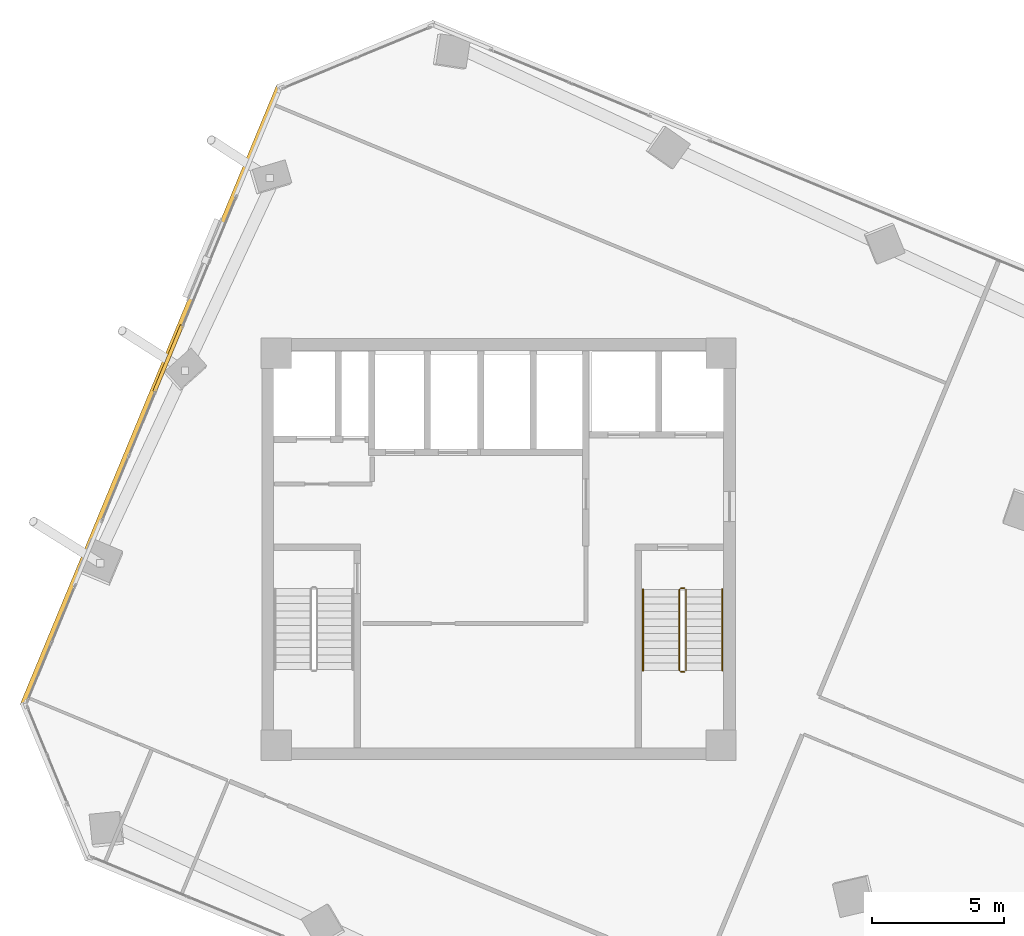
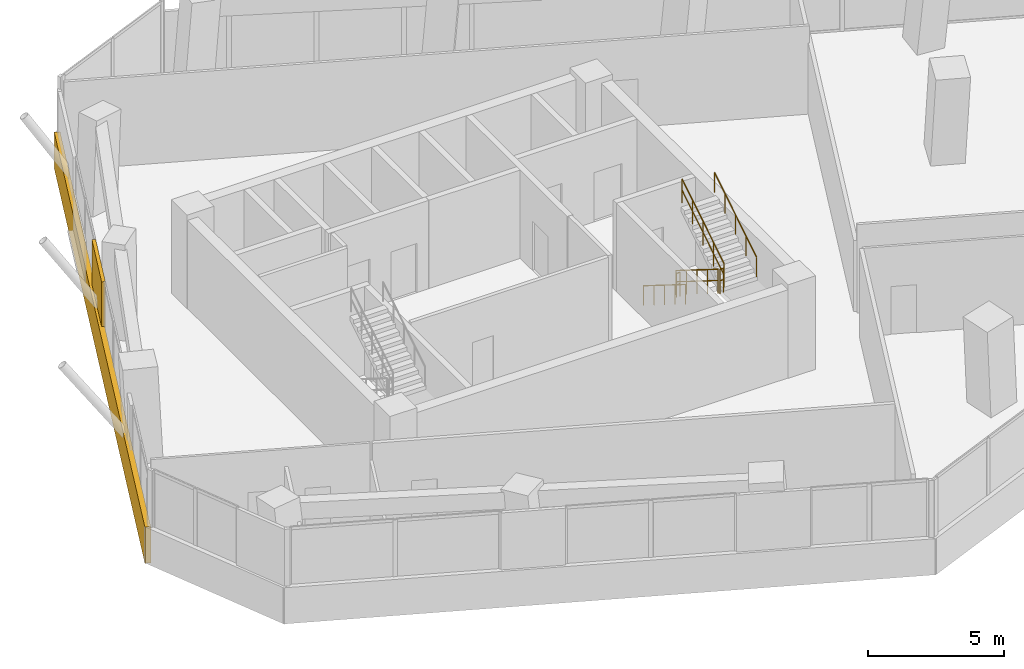
# One storey, part 20 of 22: 6 railings, 2 coverings.
"""IFC4 building model written with IfcOpenShell, lengths in metres."""

from ifc_helpers import new_model, si_unit, direction, frame, origin, origin_2d, place, context, subcontext, project, spatial, rectangle, circle, extrude, source, transform, mapped, material, layer, layer_set, type_object, element, save


model = new_model("IFC4")

# Units and contexts
model_context = context("Model", 3, precision=1e-05, world=origin(), true_north=direction((0.0, 1.0)))
body_context = subcontext(model_context, "Body", "Model", "MODEL_VIEW")
ifc_project = project(units=[si_unit("LENGTHUNIT", "METRE"), si_unit("AREAUNIT", "SQUARE_METRE"), si_unit("VOLUMEUNIT", "CUBIC_METRE"), si_unit("PLANEANGLEUNIT", "RADIAN"), si_unit("MASSUNIT", "GRAM", prefix="KILO")], contexts=[model_context])

# Site, building, storey
site_placement = place(None, origin())
site = spatial("IfcSite", under=ifc_project, at=site_placement, CompositionType="ELEMENT")
building_placement = place(site_placement, origin())
building = spatial("IfcBuilding", under=site, at=building_placement, Name="Torre Montelarca", CompositionType="ELEMENT")
storey_placement = place(building_placement, frame((0.0, 0.0, 149.800048828125)))
storey = spatial("IfcBuildingStorey", under=building, at=storey_placement, Name="L33", CompositionType="ELEMENT", Elevation=149.800048828125)

# Railings
ifc_material_1 = material(Name="Powder-coated steel ASTM A500 Grade C", Category="steel")
railing_type_1 = type_object("IfcRailingType", Name="RL-GUARD-1100", PredefinedType="BALUSTRADE", material=ifc_material_1)
railing_1_placement = place(storey_placement, frame((24.8701171875, 30.469970703125, 0.175048828125)))
element("IfcRailing", 1, at=railing_1_placement, inside=storey, type_object=railing_type_1, Name="L33 ST2 stair guard 1", PredefinedType="BALUSTRADE", context=body_context, shape_type="SweptSolid", body=[
    extrude(circle(Radius=0.02392578125, at=origin_2d()), frame((0.0, 0.0, 1.076171875), z_axis=(0.0, -0.848028513186, 0.529950602248), x_axis=(1.0, 0.0, 0.0)), (0.0, 0.0, 1.0), 3.632080078125),
    extrude(circle(Radius=0.02099609375, at=origin_2d()), frame((0.0, 0.0, 0.572021484375), z_axis=(0.0, -0.848028513186, 0.529950602248), x_axis=(1.0, 0.0, 0.0)), (0.0, 0.0, 1.0), 3.632080078125),
    extrude(circle(Radius=0.02099609375, at=origin_2d()), origin(), (0.0, 0.0, 1.0), 1.052001953125),
    extrude(circle(Radius=0.02099609375, at=origin_2d()), frame((0.0, -0.77001953125, 0.481201171875)), (0.0, 0.0, 1.0), 1.052001953125),
    extrude(circle(Radius=0.02099609375, at=origin_2d()), frame((0.0, -1.5400390625, 0.96240234375)), (0.0, 0.0, 1.0), 1.052001953125),
    extrude(circle(Radius=0.02099609375, at=origin_2d()), frame((0.0, -2.31005859375, 1.443603515625)), (0.0, 0.0, 1.0), 1.052001953125),
    extrude(circle(Radius=0.02099609375, at=origin_2d()), frame((0.0, -3.080078125, 1.9248046875)), (0.0, 0.0, 1.0), 1.052001953125),
])
railing_2_placement = place(storey_placement, frame((24.919921875, 27.340087890625, 2.099853515625)))
element("IfcRailing", 2, at=railing_2_placement, inside=storey, type_object=railing_type_1, Name="L33 ST2 stair guard 2", PredefinedType="BALUSTRADE", context=body_context, shape_type="SweptSolid", body=[
    extrude(circle(Radius=0.02392578125, at=origin_2d()), frame((0.0, 0.0, 1.076171875), z_axis=(1.0, 0.0, 0.0), x_axis=(0.0, 1.0, 0.0)), (0.0, 0.0, 1.0), 0.150146484375),
    extrude(circle(Radius=0.02099609375, at=origin_2d()), frame((0.0, 0.0, 0.572021484375), z_axis=(1.0, 0.0, 0.0), x_axis=(0.0, 1.0, 0.0)), (0.0, 0.0, 1.0), 0.150146484375),
    extrude(circle(Radius=0.02099609375, at=origin_2d()), origin(), (0.0, 0.0, 1.0), 1.052001953125),
    extrude(circle(Radius=0.02099609375, at=origin_2d()), frame((0.150146484375, 0.0, 0.0)), (0.0, 0.0, 1.0), 1.052001953125),
])
railing_3_placement = place(storey_placement, frame((25.1201171875, 27.389892578125, 2.27490234375)))
element("IfcRailing", 3, at=railing_3_placement, inside=storey, type_object=railing_type_1, Name="L33 ST2 stair guard 3", PredefinedType="BALUSTRADE", context=body_context, shape_type="SweptSolid", body=[
    extrude(circle(Radius=0.02392578125, at=origin_2d()), frame((0.0, 0.0, 1.076171875), z_axis=(0.0, 0.847998304005, 0.529998940003), x_axis=(-1.0, 0.0, 0.0)), (0.0, 0.0, 1.0), 3.632080078125),
    extrude(circle(Radius=0.02099609375, at=origin_2d()), frame((0.0, 0.0, 0.572021484375), z_axis=(0.0, 0.847998304005, 0.529998940003), x_axis=(-1.0, 0.0, 0.0)), (0.0, 0.0, 1.0), 3.632080078125),
    extrude(circle(Radius=0.02099609375, at=origin_2d()), origin(), (0.0, 0.0, 1.0), 1.052001953125),
    extrude(circle(Radius=0.02099609375, at=origin_2d()), frame((0.0, 0.77001953125, 0.481201171875)), (0.0, 0.0, 1.0), 1.052001953125),
    extrude(circle(Radius=0.02099609375, at=origin_2d()), frame((0.0, 1.5400390625, 0.96240234375)), (0.0, 0.0, 1.0), 1.052001953125),
    extrude(circle(Radius=0.02099609375, at=origin_2d()), frame((0.0, 2.31005859375, 1.44384765625)), (0.0, 0.0, 1.0), 1.052001953125),
    extrude(circle(Radius=0.02099609375, at=origin_2d()), frame((0.0, 3.080078125, 1.925048828125)), (0.0, 0.0, 1.0), 1.052001953125),
])
railing_4_placement = place(storey_placement, frame((24.919921875, 30.52001953125, 0.0)))
element("IfcRailing", 4, at=railing_4_placement, inside=storey, type_object=railing_type_1, Name="L33 ST2 stair guard 4", PredefinedType="BALUSTRADE", context=body_context, shape_type="SweptSolid", body=[
    extrude(circle(Radius=0.02392578125, at=origin_2d()), frame((0.0, 0.0, 1.076171875), z_axis=(1.0, 0.0, 0.0), x_axis=(0.0, 1.0, 0.0)), (0.0, 0.0, 1.0), 0.150146484375),
    extrude(circle(Radius=0.02099609375, at=origin_2d()), frame((0.0, 0.0, 0.572021484375), z_axis=(1.0, 0.0, 0.0), x_axis=(0.0, 1.0, 0.0)), (0.0, 0.0, 1.0), 0.150146484375),
    extrude(circle(Radius=0.02099609375, at=origin_2d()), origin(), (0.0, 0.0, 1.0), 1.052001953125),
    extrude(circle(Radius=0.02099609375, at=origin_2d()), frame((0.150146484375, 0.0, 0.0)), (0.0, 0.0, 1.0), 1.052001953125),
])
ifc_material_2 = material(Name="Brushed stainless steel AISI 316", Category="steel")
railing_type_2 = type_object("IfcRailingType", Name="RL-HANDRAIL-900", PredefinedType="HANDRAIL", material=ifc_material_2)
railing_5_placement = place(storey_placement, frame((23.489990234375, 30.469970703125, 0.175048828125)))
element("IfcRailing", 5, at=railing_5_placement, inside=storey, type_object=railing_type_2, Name="L33 ST2 stair handrail 1", PredefinedType="HANDRAIL", context=body_context, shape_type="SweptSolid", body=[
    extrude(circle(Radius=0.02392578125, at=origin_2d()), frame((0.0, 0.0, 0.8759765625), z_axis=(0.0, -0.848028513186, 0.529950602248), x_axis=(1.0, 0.0, 0.0)), (0.0, 0.0, 1.0), 3.632080078125),
    extrude(circle(Radius=0.02099609375, at=origin_2d()), origin(), (0.0, 0.0, 1.0), 0.851806640625),
    extrude(circle(Radius=0.02099609375, at=origin_2d()), frame((0.0, -0.77001953125, 0.481201171875)), (0.0, 0.0, 1.0), 0.851806640625),
    extrude(circle(Radius=0.02099609375, at=origin_2d()), frame((0.0, -1.5400390625, 0.96240234375)), (0.0, 0.0, 1.0), 0.851806640625),
    extrude(circle(Radius=0.02099609375, at=origin_2d()), frame((0.0, -2.31005859375, 1.443603515625)), (0.0, 0.0, 1.0), 0.851806640625),
    extrude(circle(Radius=0.02099609375, at=origin_2d()), frame((0.0, -3.080078125, 1.9248046875)), (0.0, 0.0, 1.0), 0.851806640625),
])
railing_6_placement = place(storey_placement, frame((26.5, 27.389892578125, 2.27490234375)))
element("IfcRailing", 6, at=railing_6_placement, inside=storey, type_object=railing_type_2, Name="L33 ST2 stair handrail 2", PredefinedType="HANDRAIL", context=body_context, shape_type="SweptSolid", body=[
    extrude(circle(Radius=0.02392578125, at=origin_2d()), frame((0.0, 0.0, 0.8759765625), z_axis=(0.0, 0.847998304005, 0.529998940003), x_axis=(-1.0, 0.0, 0.0)), (0.0, 0.0, 1.0), 3.632080078125),
    extrude(circle(Radius=0.02099609375, at=origin_2d()), origin(), (0.0, 0.0, 1.0), 0.851806640625),
    extrude(circle(Radius=0.02099609375, at=origin_2d()), frame((0.0, 0.77001953125, 0.481201171875)), (0.0, 0.0, 1.0), 0.851806640625),
    extrude(circle(Radius=0.02099609375, at=origin_2d()), frame((0.0, 1.5400390625, 0.96240234375)), (0.0, 0.0, 1.0), 0.851806640625),
    extrude(circle(Radius=0.02099609375, at=origin_2d()), frame((0.0, 2.31005859375, 1.44384765625)), (0.0, 0.0, 1.0), 0.851806640625),
    extrude(circle(Radius=0.02099609375, at=origin_2d()), frame((0.0, 3.080078125, 1.925048828125)), (0.0, 0.0, 1.0), 0.851806640625),
])

# Coverings
ifc_material_3 = material(Name="Bush-hammered warm white precast concrete C45/55", Category="concrete")
ifc_layer = layer(ifc_material_3, 0.139892578125, Name="Bush-hammered warm white precast concrete C45/55", Category="concrete")
ifc_layer_set = layer_set([ifc_layer], Name="Bush-hammered warm white precast concrete C45/55")
covering_type = type_object("IfcCoveringType", Name="COV-TRAY-CLAD", PredefinedType="CLADDING", material=ifc_layer_set)
shared_shape_1 = source(origin(), body_context, "Body", "SweptSolid", [
    extrude(rectangle(XDim=25.52001953125, YDim=0.219970703125, at=origin_2d()), origin(), (0.0, 0.0, 1.0), 1.6201171875),
])
covering_1_placement = place(storey_placement, frame((4.79248046875, 37.838134765625, -0.4501953125), z_axis=(0.0, 0.0, 1.0), x_axis=(-0.382680207415, -0.923880868323, 0.0)))
element("IfcCovering", 7, at=covering_1_placement, inside=storey, type_object=covering_type, Name="L33 Architectural White Spandrel Tray Band TRYBOT-10", PredefinedType="CLADDING", context=body_context, shape_type="MappedRepresentation", body=[
    mapped(shared_shape_1, transform((0.0, 0.0, 0.0), scale=1.0)),
])
shared_shape_2 = source(origin(), body_context, "Body", "SweptSolid", [
    extrude(rectangle(XDim=2.727294921875, YDim=0.139892578125, at=origin_2d()), origin(), (0.0, 0.0, 1.0), 3.175048828125),
])
covering_2_placement = place(storey_placement, frame((5.44140625, 39.248291015625, 0.0), z_axis=(0.0, 0.0, 1.0), x_axis=(-0.382680207415, -0.923880868323, 0.0)))
element("IfcCovering", 8, at=covering_2_placement, inside=storey, type_object=covering_type, Name="L33 Architectural Column Pier Cladding E10-3", PredefinedType="CLADDING", context=body_context, shape_type="MappedRepresentation", body=[
    mapped(shared_shape_2, transform((0.0, 0.0, 0.0), scale=1.0)),
])

save(model, "model.ifc")
